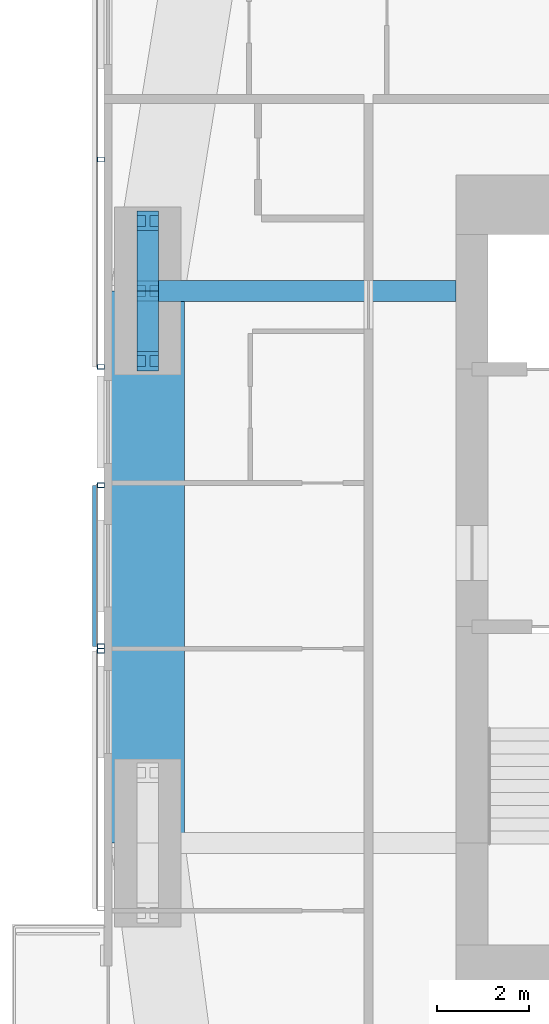
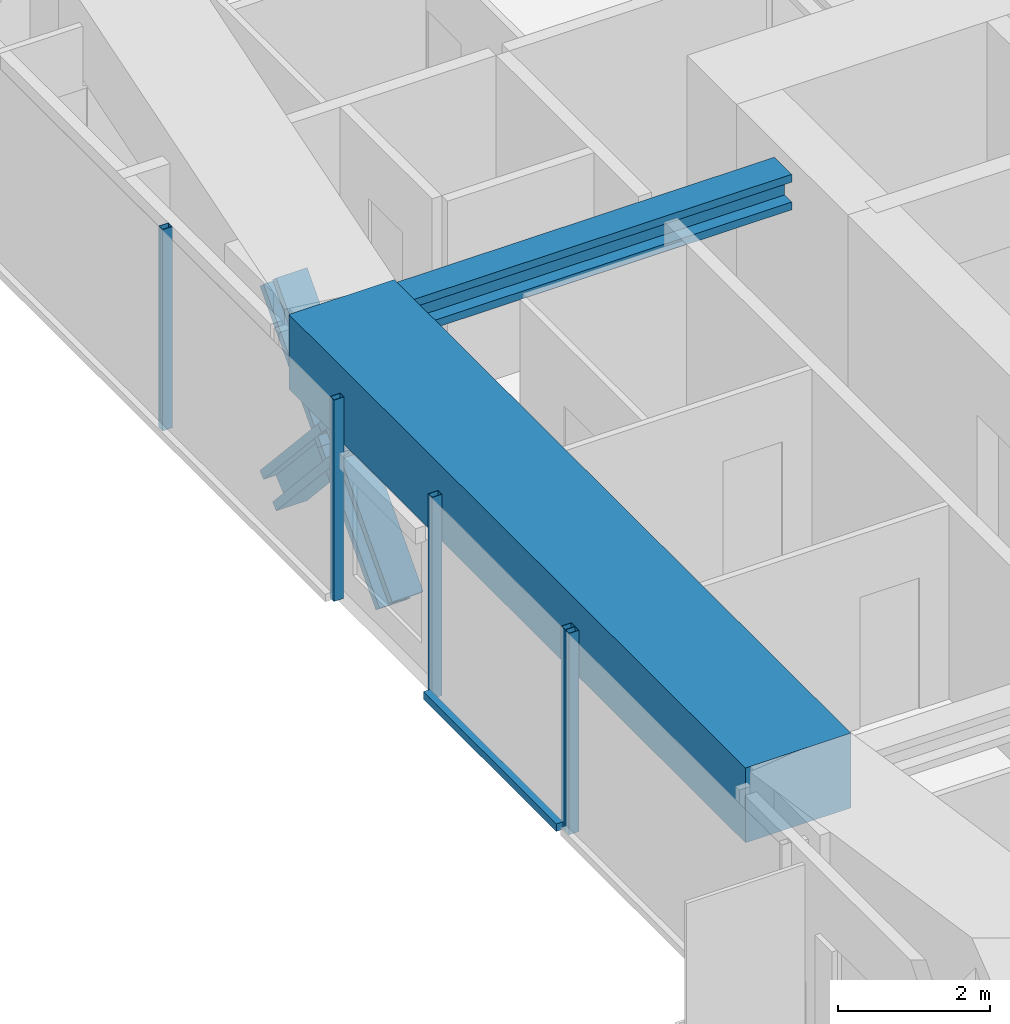
# One storey, part 5 of 23: 10 members, 2 beams, 3 elements without a shape of their own.
"""IFC4 building model written with IfcOpenShell, lengths in metres."""

from ifc_helpers import new_model, si_unit, direction, frame, origin, origin_2d, place, context, subcontext, project, spatial, rectangle, hollow_rectangle, i_section, extrude, material, material_profile, profile_set, type_object, element, aggregate, save


model = new_model("IFC4")

# Units and contexts
model_context = context("Model", 3, precision=1e-05, world=origin(), true_north=direction((0.0, 1.0)))
body_context = subcontext(model_context, "Body", "Model", "MODEL_VIEW")
ifc_project = project(units=[si_unit("LENGTHUNIT", "METRE"), si_unit("AREAUNIT", "SQUARE_METRE"), si_unit("VOLUMEUNIT", "CUBIC_METRE"), si_unit("PLANEANGLEUNIT", "RADIAN"), si_unit("MASSUNIT", "GRAM", prefix="KILO")], contexts=[model_context])

# Site, building, storey
site_placement = place(None, origin())
site = spatial("IfcSite", under=ifc_project, at=site_placement, CompositionType="ELEMENT")
building_placement = place(site_placement, origin())
building = spatial("IfcBuilding", under=site, at=building_placement, Name="Jalousie Tower", CompositionType="ELEMENT")
storey_placement = place(building_placement, frame((0.0, 0.0, 194.550048828125)))
storey = spatial("IfcBuildingStorey", under=building, at=storey_placement, Name="L53", CompositionType="ELEMENT", Elevation=194.550048828125)

# Beam
ifc_material_1 = material(Name="Steel ASTM A992 Grade 50", Category="steel")
ifc_material_profile_1 = material_profile(ifc_material_1, i_section(OverallWidth=0.45458984375, OverallDepth=0.569091796875, WebThickness=0.077880859375, FlangeThickness=0.124755859375, at=origin_2d()), Name="W14X730")
ifc_profile_set_1 = profile_set([ifc_material_profile_1], Name="Steel ASTM A992 Grade 50")
beam_type_1 = type_object("IfcBeamType", Name="LEAN COLLECTOR W14X730", PredefinedType="BEAM", material=ifc_profile_set_1)
beam_1_placement = place(storey_placement, frame((12.949951171875, 25.0, 2.825439453125), z_axis=(1.0, 0.0, 0.0), x_axis=(0.0, 1.0, 0.0)))
element("IfcBeam", 1, at=beam_1_placement, inside=storey, type_object=beam_type_1, Name="Lean collector under L54", PredefinedType="BEAM", context=body_context, shape_type="SweptSolid", body=[
    extrude(i_section(OverallWidth=0.45458984375, OverallDepth=0.569091796875, WebThickness=0.077880859375, FlangeThickness=0.124755859375, at=origin_2d()), origin(), (0.0, 0.0, 1.0), 6.699951171875),
])

# Members
ifc_material_2 = material(Name="Steel ASTM A992 Grade 50", Category="steel")
ifc_material_profile_2 = material_profile(ifc_material_2, i_section(OverallWidth=0.472412109375, OverallDepth=0.5791015625, WebThickness=0.094970703125, FlangeThickness=0.1298828125, at=origin_2d()), Name="W14X808")
ifc_profile_set_2 = profile_set([ifc_material_profile_2], Name="Steel ASTM A992 Grade 50")
member_type_1 = type_object("IfcMemberType", Name="PERIMETER BRACE W14X808", PredefinedType="BRACE", material=ifc_profile_set_2)
for number, where, z_axis, x_axis, name in (
    (2, (12.949951171875, 23.47509765625, -0.60009765625), (0.0, 0.673187629365, 0.739471713908), (-1.0, 0.0, 0.0), "Perimeter brace 13 L53 part 1"),
    (3, (12.949951171875, 25.0, 1.074951171875), (0.0, 0.673187629365, 0.739471713908), (-1.0, 0.0, 0.0), "Perimeter brace 13 L53 part 2"),
    (4, (12.949951171875, 26.52490234375, -0.60009765625), (0.0, -0.673187629365, 0.739471713908), (1.0, 0.0, 0.0), "Perimeter brace 13 L53 part 3"),
    (5, (12.949951171875, 25.0, 1.074951171875), (0.0, -0.673187629365, 0.739471713908), (1.0, 0.0, 0.0), "Perimeter brace 13 L53 part 4"),
):
    element("IfcMember", number, at=place(storey_placement, frame(where, z_axis=z_axis, x_axis=x_axis)), inside=storey, type_object=member_type_1, Name=name, PredefinedType="BRACE", context=body_context, shape_type="SweptSolid", body=[
        extrude(i_section(OverallWidth=0.472412109375, OverallDepth=0.5791015625, WebThickness=0.094970703125, FlangeThickness=0.1298828125, at=origin_2d()), origin(), (0.0, 0.0, 1.0), 2.26513671875),
    ])

# Beam
ifc_material_3 = material(Name="Concrete f'c 40 MPa", Category="concrete")
ifc_material_profile_3 = material_profile(ifc_material_3, rectangle(XDim=1.60009765625, YDim=1.199951171875, at=origin_2d()), Name="RC 1600x1200")
ifc_profile_set_3 = profile_set([ifc_material_profile_3], Name="Concrete f'c 40 MPa")
beam_type_2 = type_object("IfcBeamType", Name="RC BEAM 1600x1200", PredefinedType="BEAM", material=ifc_profile_set_3)
beam_2_placement = place(storey_placement, frame((12.949951171875, 25.0, 2.75), z_axis=(0.0, -1.0, 0.0), x_axis=(1.0, 0.0, 0.0)))
element("IfcBeam", 6, at=beam_2_placement, inside=storey, type_object=beam_type_2, Name="Edge band beam 13-14 under L54", PredefinedType="BEAM", context=body_context, shape_type="SweptSolid", body=[
    extrude(rectangle(XDim=1.60009765625, YDim=1.199951171875, at=origin_2d()), origin(), (0.0, 0.0, 1.0), 12.0),
])

# Curtain wall, members
ifc_material_4 = material(Name="Perforated aluminium sheet", Category="aluminium")
curtain_wall_type = type_object("IfcCurtainWallType", Name="SOLAR SCREEN SS-1", PredefinedType="USERDEFINED", material=ifc_material_4)
curtain_wall_1_placement = place(storey_placement, origin())
curtain_wall_1 = element("IfcCurtainWall", 7, at=curtain_wall_1_placement, inside=storey, type_object=curtain_wall_type, Name="Solar screen L53", ObjectType="SOLAR SCREEN SS-1", PredefinedType="USERDEFINED")
ifc_material_5 = material(Name="Steel ASTM A500 Grade C", Category="steel")
ifc_material_profile_4 = material_profile(ifc_material_5, hollow_rectangle(XDim=0.1015625, YDim=0.15234375, WallThickness=0.00634765625, at=origin_2d()), Name="HSS6X4X1/4")
ifc_profile_set_4 = profile_set([ifc_material_profile_4], Name="Steel ASTM A500 Grade C")
member_type_2 = type_object("IfcMemberType", Name="SOLAR SCREEN SS-1 MULLION", PredefinedType="MULLION", material=ifc_profile_set_4)
member_1_placement = place(storey_placement, frame((11.9287109375, 27.860107421875, -0.1201171875), z_axis=(0.0, 0.0, 1.0), x_axis=(0.0, -1.0, 0.0)))
member_1 = element("IfcMember", 8, at=member_1_placement, type_object=member_type_2, Name="SS1 post 2", PredefinedType="MULLION", context=body_context, shape_type="SweptSolid", body=[
    extrude(hollow_rectangle(XDim=0.1015625, YDim=0.15234375, WallThickness=0.00634765625, at=origin_2d()), origin(), (0.0, 0.0, 1.0), 3.22998046875),
])
member_2_placement = place(storey_placement, frame((11.9287109375, 23.35009765625, -0.1201171875), z_axis=(0.0, 0.0, 1.0), x_axis=(0.0, -1.0, 0.0)))
member_2 = element("IfcMember", 9, at=member_2_placement, type_object=member_type_2, Name="SS1 post 3", PredefinedType="MULLION", context=body_context, shape_type="SweptSolid", body=[
    extrude(hollow_rectangle(XDim=0.1015625, YDim=0.15234375, WallThickness=0.00634765625, at=origin_2d()), origin(), (0.0, 0.0, 1.0), 3.22998046875),
])
aggregate(curtain_wall_1, [member_1, member_2])

curtain_wall_2_placement = place(storey_placement, origin())
curtain_wall_2 = element("IfcCurtainWall", 10, at=curtain_wall_2_placement, inside=storey, type_object=curtain_wall_type, Name="Solar screen L53", ObjectType="SOLAR SCREEN SS-1", PredefinedType="USERDEFINED")
member_3_placement = place(storey_placement, frame((11.9287109375, 20.77490234375, -0.1201171875), z_axis=(0.0, 0.0, 1.0), x_axis=(0.0, -1.0, 0.0)))
member_3 = element("IfcMember", 11, at=member_3_placement, type_object=member_type_2, Name="SS1 post 1", PredefinedType="MULLION", context=body_context, shape_type="SweptSolid", body=[
    extrude(hollow_rectangle(XDim=0.1015625, YDim=0.15234375, WallThickness=0.00634765625, at=origin_2d()), origin(), (0.0, 0.0, 1.0), 3.22998046875),
])
member_4_placement = place(storey_placement, frame((11.9287109375, 17.27490234375, -0.1201171875), z_axis=(0.0, 0.0, 1.0), x_axis=(0.0, -1.0, 0.0)))
member_4 = element("IfcMember", 12, at=member_4_placement, type_object=member_type_2, Name="SS1 post 2", PredefinedType="MULLION", context=body_context, shape_type="SweptSolid", body=[
    extrude(hollow_rectangle(XDim=0.1015625, YDim=0.15234375, WallThickness=0.00634765625, at=origin_2d()), origin(), (0.0, 0.0, 1.0), 3.22998046875),
])

# Curtain wall, member
curtain_wall_3_placement = place(storey_placement, origin())
curtain_wall_3 = element("IfcCurtainWall", 13, at=curtain_wall_3_placement, inside=storey, type_object=curtain_wall_type, Name="Solar screen L53", ObjectType="SOLAR SCREEN SS-1", PredefinedType="USERDEFINED")
member_5_placement = place(storey_placement, frame((11.9287109375, 17.175048828125, -0.1201171875), z_axis=(0.0, 0.0, 1.0), x_axis=(0.0, -1.0, 0.0)))
member_5 = element("IfcMember", 14, at=member_5_placement, type_object=member_type_2, Name="SS1 post 1", PredefinedType="MULLION", context=body_context, shape_type="SweptSolid", body=[
    extrude(hollow_rectangle(XDim=0.1015625, YDim=0.15234375, WallThickness=0.00634765625, at=origin_2d()), origin(), (0.0, 0.0, 1.0), 3.22998046875),
])
aggregate(curtain_wall_3, [member_5])

# Member
ifc_material_6 = material(Name="Extruded aluminium screen rail", Category="aluminium")
ifc_material_profile_5 = material_profile(ifc_material_6, rectangle(XDim=0.1015625, YDim=0.1201171875, at=origin_2d()), Name="RAIL 102x120")
ifc_profile_set_5 = profile_set([ifc_material_profile_5], Name="Extruded aluminium screen rail")
member_type_3 = type_object("IfcMemberType", Name="SOLAR SCREEN SS-1 TRANSOM", PredefinedType="USERDEFINED", material=ifc_profile_set_5)
member_6_placement = place(storey_placement, frame((11.8017578125, 20.77490234375, -0.06005859375), z_axis=(0.0, -1.0, 0.0), x_axis=(1.0, 0.0, 0.0)))
member_6 = element("IfcMember", 15, at=member_6_placement, type_object=member_type_3, Name="SS1 rail", ObjectType="TRANSOM", PredefinedType="USERDEFINED", context=body_context, shape_type="SweptSolid", body=[
    extrude(rectangle(XDim=0.1015625, YDim=0.1201171875, at=origin_2d()), origin(), (0.0, 0.0, 1.0), 3.5),
])

aggregate(curtain_wall_2, [member_3, member_4, member_6])

save(model, "model.ifc")
